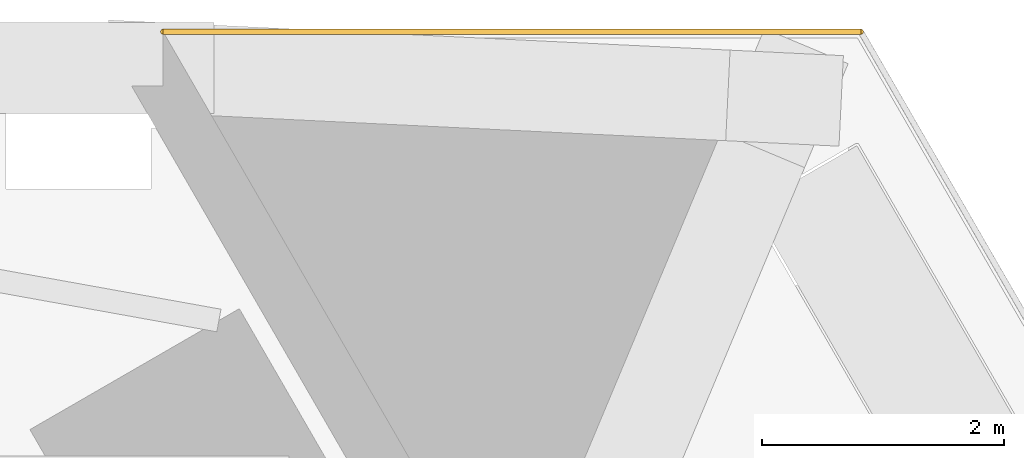
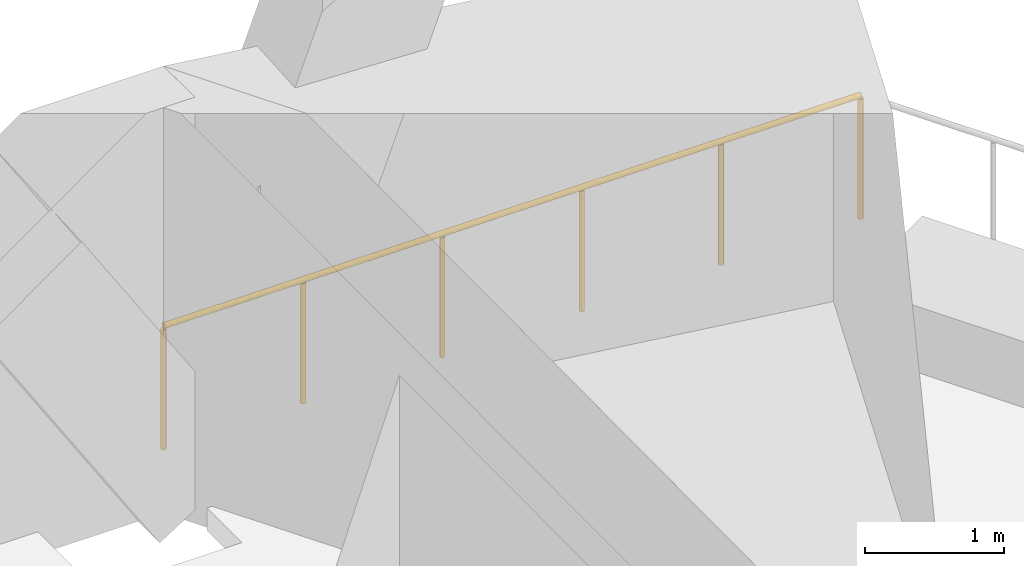
# One storey, part 11 of 11: 1 railing.
"""IFC4 building model written with IfcOpenShell, lengths in metres."""

from ifc_helpers import new_model, si_unit, direction, frame, origin, origin_2d, place, context, subcontext, project, spatial, circle, extrude, material, type_object, element, save


model = new_model("IFC4")

# Units and contexts
model_context = context("Model", 3, precision=1e-05, world=origin(), true_north=direction((0.0, 1.0)))
body_context = subcontext(model_context, "Body", "Model", "MODEL_VIEW")
ifc_project = project(units=[si_unit("LENGTHUNIT", "METRE"), si_unit("AREAUNIT", "SQUARE_METRE"), si_unit("VOLUMEUNIT", "CUBIC_METRE"), si_unit("PLANEANGLEUNIT", "RADIAN"), si_unit("MASSUNIT", "GRAM", prefix="KILO")], contexts=[model_context])

# Site, building, storey
site_placement = place(None, origin())
site = spatial("IfcSite", under=ifc_project, at=site_placement, CompositionType="ELEMENT")
building_placement = place(site_placement, origin())
building = spatial("IfcBuilding", under=site, at=building_placement, Name="Aloe Facet Convention Tower", CompositionType="ELEMENT")
storey_placement = place(building_placement, frame((0.0, 0.0, 35.0)))
storey = spatial("IfcBuildingStorey", under=building, at=storey_placement, Name="L06", CompositionType="ELEMENT", Elevation=35.0)

# Railing
ifc_material = material(Name="Steel S355, bronze oxide finish", Category="steel")
railing_type = type_object("IfcRailingType", Name="EV-GUARD-TERR", PredefinedType="GUARDRAIL", material=ifc_material)
railing_placement = place(storey_placement, frame((102.39990234375, 135.0, 0.0)))
element("IfcRailing", 1, at=railing_placement, inside=storey, type_object=railing_type, Name="GUARD PT-L06-1-2", PredefinedType="GUARDRAIL", context=body_context, shape_type="SweptSolid", body=[
    extrude(circle(Radius=0.02392578125, at=origin_2d()), frame((0.0, 0.0, 1.076171875), z_axis=(1.0, 0.0, 0.0), x_axis=(0.0, 1.0, 0.0)), (0.0, 0.0, 1.0), 5.773681640625),
    extrude(circle(Radius=0.02099609375, at=origin_2d()), origin(), (0.0, 0.0, 1.0), 1.052001953125),
    extrude(circle(Radius=0.02099609375, at=origin_2d()), frame((1.15478515625, 0.0, 0.0)), (0.0, 0.0, 1.0), 1.052001953125),
    extrude(circle(Radius=0.02099609375, at=origin_2d()), frame((2.3095703125, 0.0, 0.0)), (0.0, 0.0, 1.0), 1.052001953125),
    extrude(circle(Radius=0.02099609375, at=origin_2d()), frame((3.464111328125, 0.0, 0.0)), (0.0, 0.0, 1.0), 1.052001953125),
    extrude(circle(Radius=0.02099609375, at=origin_2d()), frame((4.618896484375, 0.0, 0.0)), (0.0, 0.0, 1.0), 1.052001953125),
    extrude(circle(Radius=0.02099609375, at=origin_2d()), frame((5.773681640625, 0.0, 0.0)), (0.0, 0.0, 1.0), 1.052001953125),
])

save(model, "model.ifc")
